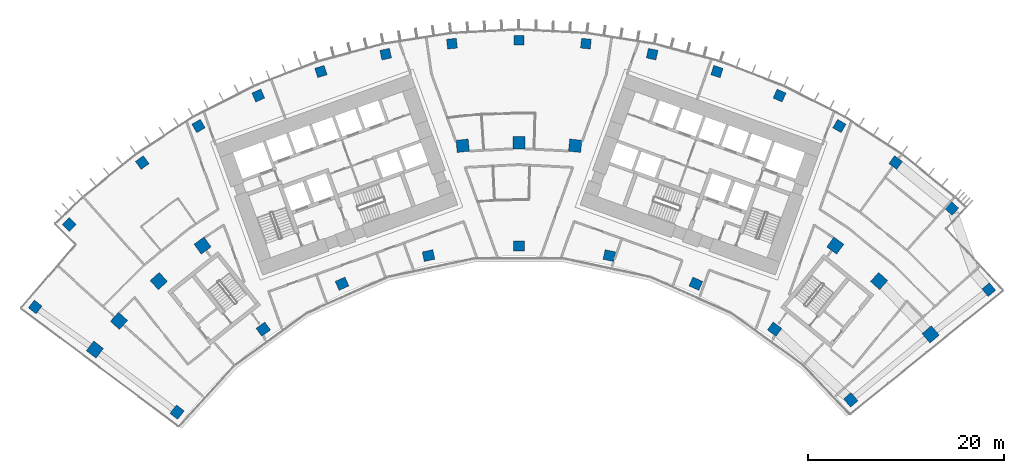
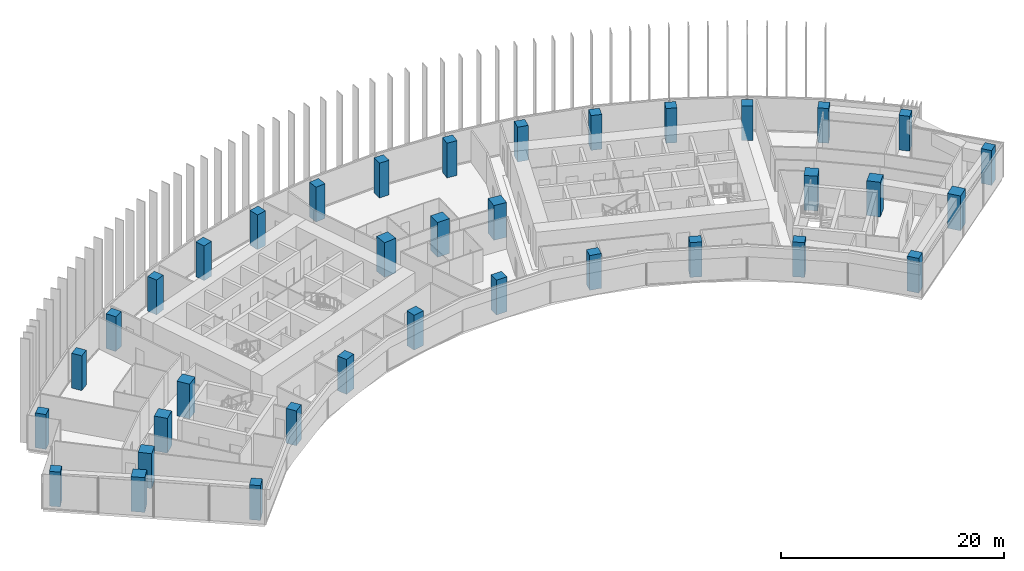
# One storey, part 1 of 23: 36 columns.
"""IFC4 building model written with IfcOpenShell, lengths in metres."""

from ifc_helpers import new_model, si_unit, direction, frame, origin, origin_2d, place, context, subcontext, project, spatial, rectangle, extrude, material, material_profile, profile_set, type_object, element, save


model = new_model("IFC4")

# Units and contexts
model_context = context("Model", 3, precision=1e-05, world=origin(), true_north=direction((0.0, 1.0)))
body_context = subcontext(model_context, "Body", "Model", "MODEL_VIEW")
ifc_project = project(units=[si_unit("LENGTHUNIT", "METRE"), si_unit("AREAUNIT", "SQUARE_METRE"), si_unit("VOLUMEUNIT", "CUBIC_METRE"), si_unit("PLANEANGLEUNIT", "RADIAN"), si_unit("MASSUNIT", "GRAM", prefix="KILO")], contexts=[model_context])

# Site, building, storey
site_placement = place(None, origin())
site = spatial("IfcSite", under=ifc_project, at=site_placement, CompositionType="ELEMENT")
building_placement = place(site_placement, origin())
building = spatial("IfcBuilding", under=site, at=building_placement, Name="Stone Belt Terrace Tower", CompositionType="ELEMENT")
storey_placement = place(building_placement, frame((0.0, 0.0, 166.800048828125)))
storey = spatial("IfcBuildingStorey", under=building, at=storey_placement, Name="L40", CompositionType="ELEMENT", Elevation=166.800048828125)

# Columns
ifc_material = material(Name="Concrete B80", Category="concrete")
ifc_material_profile_1 = material_profile(ifc_material, rectangle(XDim=1.0, YDim=1.0, at=origin_2d()), Name="RC 1000x1000")
ifc_profile_set_1 = profile_set([ifc_material_profile_1], Name="Concrete B80")
column_type_1 = type_object("IfcColumnType", Name="Column RC 1000x1000 B80", PredefinedType="COLUMN", material=ifc_profile_set_1)
for number, where, z_axis, x_axis, name in (
    (1, (-49.432861328125, 38.226318359375, 0.0), (0.0, 0.0, 1.0), (0.611730019057, 0.791066611472, 0.0), "Column L40 RA"),
    (2, (48.010498046875, 39.998291015625, 0.0), (0.0, 0.0, 1.0), (0.64008556283, -0.768303632854, 0.0), "Column L40 RB"),
    (3, (-45.95849609375, 46.654296875, 0.0), (0.0, 0.0, 1.0), (0.712398494182, 0.701775167334, 0.0), "Column L40 RNA"),
    (4, (-38.493408203125, 52.981689453125, 0.0), (0.0, 0.0, 1.0), (0.809016994375, 0.587785252292, 0.0), "Column L40 R16"),
    (5, (-32.744384765625, 56.715087890625, 0.0), (0.0, 0.0, 1.0), (0.866025403784, 0.5, 0.0), "Column L40 R17"),
    (6, (-26.63671875, 59.8271484375, 0.0), (0.0, 0.0, 1.0), (0.913545457643, 0.406736643076, 0.0), "Column L40 R18"),
    (7, (-20.2373046875, 62.28369140625, 0.0), (0.0, 0.0, 1.0), (0.951056516295, 0.309016994375, 0.0), "Column L40 R19"),
    (8, (-13.615966796875, 64.057861328125, 0.0), (0.0, 0.0, 1.0), (0.978147600734, 0.207911690818, 0.0), "Column L40 R20"),
    (9, (-6.845458984375, 65.130126953125, 0.0), (0.0, 0.0, 1.0), (0.994521895368, 0.104528463268, 0.0), "Column L40 R21"),
    (10, (0.0, 65.489013671875, 0.0), (0.0, 0.0, 1.0), (1.0, 0.0, 0.0), "Column L40 R22"),
    (11, (6.845458984375, 65.130126953125, 0.0), (0.0, 0.0, 1.0), (0.994521895368, -0.104528463268, 0.0), "Column L40 R23"),
    (12, (13.615966796875, 64.057861328125, 0.0), (0.0, 0.0, 1.0), (0.978147600734, -0.207911690818, 0.0), "Column L40 R24"),
    (13, (20.2373046875, 62.28369140625, 0.0), (0.0, 0.0, 1.0), (0.951056516295, -0.309016994375, 0.0), "Column L40 R25"),
    (14, (26.63671875, 59.8271484375, 0.0), (0.0, 0.0, 1.0), (0.913545457643, -0.406736643076, 0.0), "Column L40 R26"),
    (15, (32.744384765625, 56.715087890625, 0.0), (0.0, 0.0, 1.0), (0.866025403784, -0.5, 0.0), "Column L40 R27"),
    (16, (38.493408203125, 52.981689453125, 0.0), (0.0, 0.0, 1.0), (0.809016994375, -0.587785252292, 0.0), "Column L40 R28"),
    (17, (44.23193359375, 48.294189453125, 0.0), (0.0, 0.0, 1.0), (0.737441213814, -0.67541132369, 0.0), "Column L40 RNB"),
):
    element("IfcColumn", number, at=place(storey_placement, frame(where, z_axis=z_axis, x_axis=x_axis)), inside=storey, type_object=column_type_1, Name=name, PredefinedType="COLUMN", context=body_context, shape_type="SweptSolid", body=[
        extrude(rectangle(XDim=1.0, YDim=1.0, at=origin_2d()), origin(), (0.0, 0.0, 1.0), 3.800048828125),
    ])
ifc_material_profile_2 = material_profile(ifc_material, rectangle(XDim=1.10009765625, YDim=1.0, at=origin_2d()), Name="RC 1100x1000")
ifc_profile_set_2 = profile_set([ifc_material_profile_2], Name="Concrete B80")
column_type_2 = type_object("IfcColumnType", Name="Column RC 1100x1000 B80", PredefinedType="COLUMN", material=ifc_profile_set_2)
for number, where, z_axis, x_axis, name in (
    (18, (-34.93408203125, 27.476806640625, 0.0), (0.0, 0.0, 1.0), (0.618217727677, 0.786006896399, 0.0), "Column L40 PA"),
    (19, (-26.1240234375, 35.956787109375, 0.0), (0.0, 0.0, 1.0), (0.809016994375, 0.587785252292, 0.0), "Column L40 P16"),
    (20, (-18.077392578125, 40.6025390625, 0.0), (0.0, 0.0, 1.0), (0.913545457643, 0.406736643076, 0.0), "Column L40 P18"),
    (21, (-9.240478515625, 43.473876953125, 0.0), (0.0, 0.0, 1.0), (0.978147600734, 0.207911690818, 0.0), "Column L40 P20"),
    (22, (0.0, 44.445068359375, 0.0), (0.0, 0.0, 1.0), (1.0, 0.0, 0.0), "Column L40 P22"),
    (23, (9.240478515625, 43.473876953125, 0.0), (0.0, 0.0, 1.0), (0.978147600734, -0.207911690818, 0.0), "Column L40 P24"),
    (24, (18.077392578125, 40.6025390625, 0.0), (0.0, 0.0, 1.0), (0.913545457643, -0.406736643076, 0.0), "Column L40 P26"),
    (25, (26.1240234375, 35.956787109375, 0.0), (0.0, 0.0, 1.0), (0.809016994375, -0.587785252292, 0.0), "Column L40 P28"),
    (26, (33.912109375, 28.728515625, 0.0), (0.0, 0.0, 1.0), (0.646385031856, -0.763011396109, 0.0), "Column L40 PB"),
):
    element("IfcColumn", number, at=place(storey_placement, frame(where, z_axis=z_axis, x_axis=x_axis)), inside=storey, type_object=column_type_2, Name=name, PredefinedType="COLUMN", context=body_context, shape_type="SweptSolid", body=[
        extrude(rectangle(XDim=1.10009765625, YDim=1.0, at=origin_2d()), origin(), (0.0, 0.0, 1.0), 3.800048828125),
    ])
ifc_material_profile_3 = material_profile(ifc_material, rectangle(XDim=1.25, YDim=1.25, at=origin_2d()), Name="RC 1250x1250")
ifc_profile_set_3 = profile_set([ifc_material_profile_3], Name="Concrete B80")
column_type_3 = type_object("IfcColumnType", Name="Column RC 1250x1250 B80", PredefinedType="COLUMN", material=ifc_profile_set_3)
for number, where, z_axis, x_axis, name in (
    (27, (-43.33349609375, 33.870361328125, 0.0), (0.0, 0.0, 1.0), (0.615825127294, 0.787882867306, 0.0), "Column L40 QA"),
    (28, (-40.873046875, 36.80224609375, 0.0), (0.0, 0.0, 1.0), (0.669130606359, 0.743144825477, 0.0), "Column L40 Q14"),
    (29, (-36.80224609375, 40.873046875, 0.0), (0.0, 0.0, 1.0), (0.743144825477, 0.669130606359, 0.0), "Column L40 Q15"),
    (30, (-32.328125, 44.495849609375, 0.0), (0.0, 0.0, 1.0), (0.809016994375, 0.587785252292, 0.0), "Column L40 Q16"),
    (31, (-5.7490234375, 54.69873046875, 0.0), (0.0, 0.0, 1.0), (0.994521895368, 0.104528463268, 0.0), "Column L40 Q21"),
    (32, (0.0, 55.0, 0.0), (0.0, 0.0, 1.0), (1.0, 0.0, 0.0), "Column L40 Q22"),
    (33, (5.7490234375, 54.69873046875, 0.0), (0.0, 0.0, 1.0), (0.994521895368, -0.104528463268, 0.0), "Column L40 Q23"),
    (34, (32.328125, 44.495849609375, 0.0), (0.0, 0.0, 1.0), (0.809016994375, -0.587785252292, 0.0), "Column L40 Q28"),
    (35, (36.80224609375, 40.873046875, 0.0), (0.0, 0.0, 1.0), (0.743144825477, -0.669130606359, 0.0), "Column L40 Q29"),
    (36, (42.073486328125, 35.42333984375, 0.0), (0.0, 0.0, 1.0), (0.644062215859, -0.764973112013, 0.0), "Column L40 QB"),
):
    element("IfcColumn", number, at=place(storey_placement, frame(where, z_axis=z_axis, x_axis=x_axis)), inside=storey, type_object=column_type_3, Name=name, PredefinedType="COLUMN", context=body_context, shape_type="SweptSolid", body=[
        extrude(rectangle(XDim=1.25, YDim=1.25, at=origin_2d()), origin(), (0.0, 0.0, 1.0), 3.800048828125),
    ])

save(model, "model.ifc")
